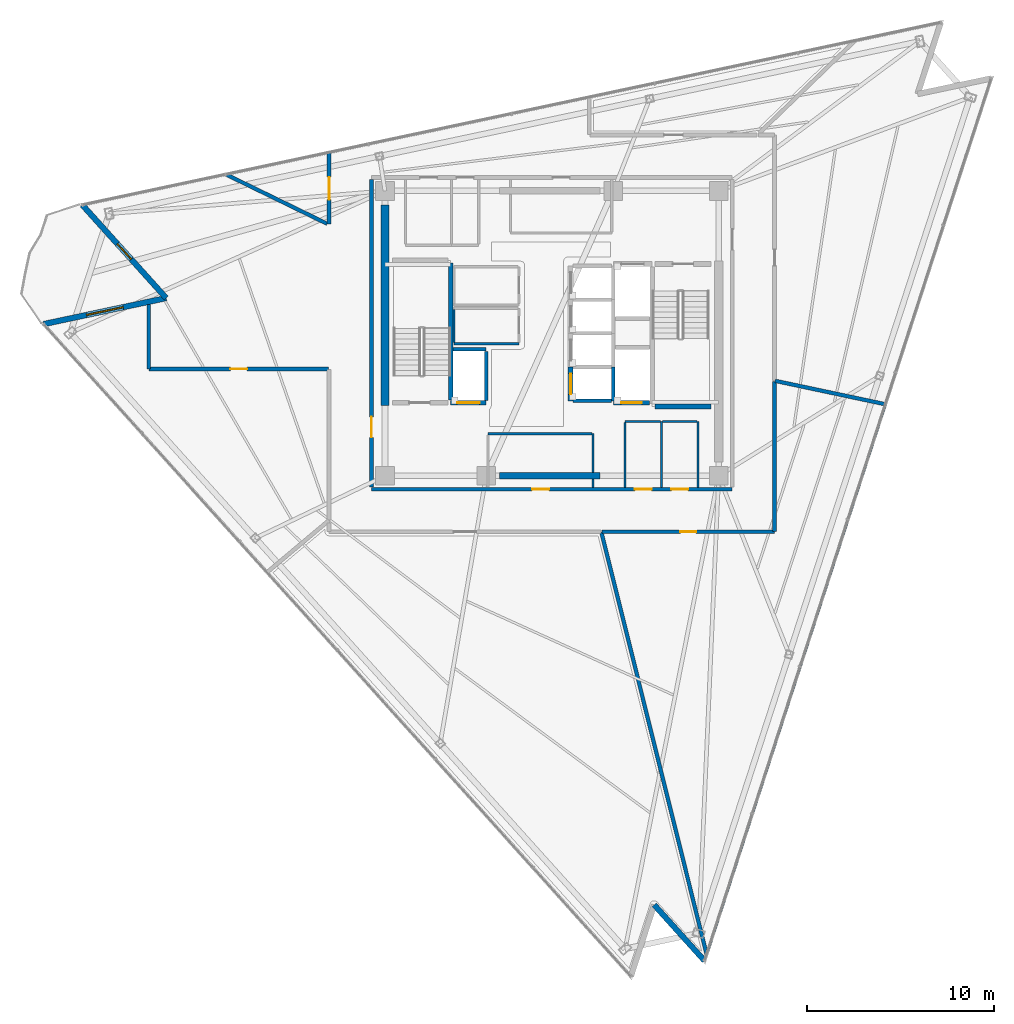
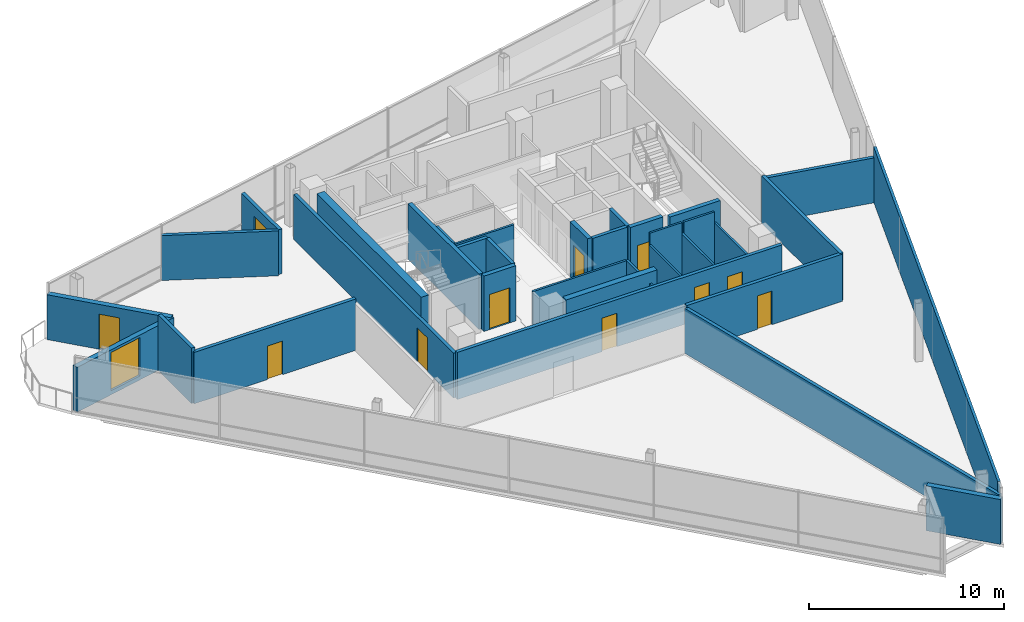
# One storey, part 10 of 15: 35 walls, 11 doors, 1 window, 12 openings.
"""IFC4 building model written with IfcOpenShell, lengths in metres."""

from ifc_helpers import new_model, si_unit, direction, frame, frame_2d, origin, place, context, subcontext, project, spatial, rectangle, extrude, material, layer, layer_set, type_object, element, fill, save


model = new_model("IFC4")

# Units and contexts
model_context = context("Model", 3, precision=1e-05, world=origin(), true_north=direction((0.0, 1.0)))
body_context = subcontext(model_context, "Body", "Model", "MODEL_VIEW")
ifc_project = project(units=[si_unit("LENGTHUNIT", "METRE"), si_unit("AREAUNIT", "SQUARE_METRE"), si_unit("VOLUMEUNIT", "CUBIC_METRE"), si_unit("PLANEANGLEUNIT", "RADIAN"), si_unit("MASSUNIT", "GRAM", prefix="KILO")], contexts=[model_context])

# Site, building, storey
site_placement = place(None, origin())
site = spatial("IfcSite", under=ifc_project, at=site_placement, CompositionType="ELEMENT")
building_placement = place(site_placement, origin())
building = spatial("IfcBuilding", under=site, at=building_placement, Name="Tharavind Bronze Gate", CompositionType="ELEMENT")
storey_placement = place(building_placement, frame((0.0, 0.0, 283.39990234375)))
storey = spatial("IfcBuildingStorey", under=building, at=storey_placement, Name="L73", CompositionType="ELEMENT", Elevation=283.39990234375)

# Wall, opening, door
ifc_material_1 = material(Name="Concrete C40/50", Category="concrete")
ifc_layer_1 = layer(ifc_material_1, 0.300048828125)
ifc_layer_set_1 = layer_set([ifc_layer_1], Name="Concrete C40/50")
wall_type_1 = type_object("IfcWallType", Name="EXTERIOR SPANDREL WALL 300", PredefinedType="STANDARD", material=ifc_layer_set_1)
wall_1_placement = place(storey_placement, frame((-25.041015625, 6.84814453125, 0.0), z_axis=(0.0, 0.0, 1.0), x_axis=(0.669132313306, -0.743143288532, 0.0)))
wall_1 = element("IfcWall", 1, at=wall_1_placement, inside=storey, type_object=wall_type_1, Name="L73 notch cheek wall 1A", PredefinedType="STANDARD", context=body_context, shape_type="SweptSolid", body=[
    extrude(rectangle(XDim=6.679931640625, YDim=0.300048828125, at=frame_2d((3.33984375, 0.0))), origin(), (0.0, 0.0, 1.0), 2.81005859375),
])
opening_1_placement = place(wall_1_placement, frame((2.7900390625, 0.0, 0.0)))
opening_1 = element("IfcOpeningElement", 2, at=opening_1_placement, cuts=wall_1, Name="Opening ED04", PredefinedType="OPENING", context=body_context, shape_type="SweptSolid", body=[
    extrude(rectangle(XDim=1.10009765625, YDim=2.199951171875, at=frame_2d((0.550048828125, 1.10009765625))), frame((0.0, 0.15990234375, 0.0), z_axis=(0.0, -1.0, 0.0), x_axis=(1.0, 0.0, 0.0)), (0.0, 0.0, 1.0), 0.320048828125),
])
ifc_material_2 = material(Name="Bronze Aluminium & Toughened Glass", Category="aluminium")
door_type_1 = type_object("IfcDoorType", Name="TREE BALCONY ACCESS DOOR 1100X2200", OperationType="SINGLE_SWING_LEFT", PredefinedType="DOOR", material=ifc_material_2)
door_1_placement = place(opening_1_placement, frame((1.10009765625, 0.0, 0.0), z_axis=(0.0, 0.0, 1.0), x_axis=(-1.0, 0.0, 0.0)))
door_1 = element("IfcDoor", 3, at=door_1_placement, inside=storey, type_object=door_type_1, Name="L73 tree balcony access door", OperationType="SINGLE_SWING_LEFT", OverallHeight=2.199951171875, OverallWidth=1.10009765625, PredefinedType="DOOR", context=body_context, shape_type="SweptSolid", body=[
    extrude(rectangle(XDim=1.10009765625, YDim=2.199951171875, at=frame_2d((0.550048828125, 1.10009765625))), frame((0.0, 0.02490234375, 0.0), z_axis=(0.0, -1.0, 0.0), x_axis=(1.0, 0.0, 0.0)), (0.0, 0.0, 1.0), 0.050048828125),
])
fill(opening_1, door_1)

# Wall, opening, window
wall_2_placement = place(storey_placement, frame((-20.5712890625, 1.884033203125, 0.0), z_axis=(0.0, 0.0, 1.0), x_axis=(-0.978145008547, -0.207923885724, 0.0)))
wall_2 = element("IfcWall", 4, at=wall_2_placement, inside=storey, type_object=wall_type_1, Name="L73 notch cheek wall 1B", PredefinedType="STANDARD", context=body_context, shape_type="SweptSolid", body=[
    extrude(rectangle(XDim=6.679931640625, YDim=0.300048828125, at=frame_2d((3.33984375, 0.0))), origin(), (0.0, 0.0, 1.0), 2.81005859375),
])
opening_2_placement = place(wall_2_placement, frame((2.340087890625, 0.0, 0.25)))
opening_2 = element("IfcOpeningElement", 5, at=opening_2_placement, cuts=wall_2, Name="Opening W06", PredefinedType="OPENING", context=body_context, shape_type="SweptSolid", body=[
    extrude(rectangle(XDim=2.0, YDim=2.39990234375, at=frame_2d((1.0, 1.199951171875))), frame((0.0, 0.15990234375, 0.0), z_axis=(0.0, -1.0, 0.0), x_axis=(1.0, 0.0, 0.0)), (0.0, 0.0, 1.0), 0.320048828125),
])
ifc_material_3 = material(Name="Bronze Aluminium & Low-E Glass", Category="aluminium")
window_type = type_object("IfcWindowType", Name="CROWN OBSERVATORY WINDOW 2000X2400", PartitioningType="DOUBLE_PANEL_VERTICAL", PredefinedType="WINDOW", material=ifc_material_3)
window_placement = place(opening_2_placement, origin())
window = element("IfcWindow", 6, at=window_placement, inside=storey, type_object=window_type, Name="L73 exterior window WL-L73-NCB1-01", OverallHeight=2.39990234375, OverallWidth=2.0, PartitioningType="SINGLE_PANEL", PredefinedType="WINDOW", context=body_context, shape_type="SweptSolid", body=[
    extrude(rectangle(XDim=2.0, YDim=2.39990234375, at=frame_2d((1.0, 1.199951171875))), frame((0.0, 0.030029296875, 0.0), z_axis=(0.0, -1.0, 0.0), x_axis=(1.0, 0.0, 0.0)), (0.0, 0.0, 1.0), 0.06005859375),
])
fill(opening_2, window)

# Wall
wall_3_placement = place(storey_placement, frame((5.459228515625, -30.484130859375, 0.0), z_axis=(0.0, 0.0, 1.0), x_axis=(0.669132983361, -0.743142685208, 0.0)))
element("IfcWall", 7, at=wall_3_placement, inside=storey, type_object=wall_type_1, Name="L73 notch cheek wall 2B", PredefinedType="STANDARD", context=body_context, shape_type="SweptSolid", body=[
    extrude(rectangle(XDim=4.008056640625, YDim=0.300048828125, at=frame_2d((2.00390625, 0.0))), origin(), (0.0, 0.0, 1.0), 2.81005859375),
])

# Wall, openings, doors
ifc_material_4 = material(Name="Aerated Concrete Block", Category="concrete")
ifc_layer_2 = layer(ifc_material_4, 0.199951171875)
ifc_layer_set_2 = layer_set([ifc_layer_2], Name="Aerated Concrete Block")
wall_type_2 = type_object("IfcWallType", Name="FIRE RATED PARTITION 200", PredefinedType="PARTITIONING", material=ifc_layer_set_2)
wall_4_placement = place(storey_placement, frame((-9.6201171875, -8.320068359375, 0.0), z_axis=(0.0, 0.0, 1.0), x_axis=(1.0, 0.0, 0.0)))
wall_4 = element("IfcWall", 8, at=wall_4_placement, inside=storey, type_object=wall_type_2, Name="L73 south core corridor wall", PredefinedType="PARTITIONING", context=body_context, shape_type="SweptSolid", body=[
    extrude(rectangle(XDim=19.240234375, YDim=0.199951171875, at=frame_2d((9.6201171875, 0.0))), origin(), (0.0, 0.0, 1.0), 2.960205078125),
])
opening_3_placement = place(wall_4_placement, frame((8.570068359375, 0.0, 0.0)))
opening_3 = element("IfcOpeningElement", 9, at=opening_3_placement, cuts=wall_4, Name="Opening ID07", PredefinedType="OPENING", context=body_context, shape_type="SweptSolid", body=[
    extrude(rectangle(XDim=0.89990234375, YDim=2.10009765625, at=frame_2d((0.449951171875, 1.050048828125))), frame((0.0, 0.11009765625, 0.0), z_axis=(0.0, -1.0, 0.0), x_axis=(1.0, 0.0, 0.0)), (0.0, 0.0, 1.0), 0.219951171875),
])
opening_4_placement = place(wall_4_placement, frame((14.044921875, 0.0, 0.0)))
opening_4 = element("IfcOpeningElement", 10, at=opening_4_placement, cuts=wall_4, Name="Opening ID07", PredefinedType="OPENING", context=body_context, shape_type="SweptSolid", body=[
    extrude(rectangle(XDim=0.89990234375, YDim=2.10009765625, at=frame_2d((0.449951171875, 1.050048828125))), frame((0.0, 0.11009765625, 0.0), z_axis=(0.0, -1.0, 0.0), x_axis=(1.0, 0.0, 0.0)), (0.0, 0.0, 1.0), 0.219951171875),
])
opening_5_placement = place(wall_4_placement, frame((15.9951171875, 0.0, 0.0)))
opening_5 = element("IfcOpeningElement", 11, at=opening_5_placement, cuts=wall_4, Name="Opening ID07", PredefinedType="OPENING", context=body_context, shape_type="SweptSolid", body=[
    extrude(rectangle(XDim=0.89990234375, YDim=2.10009765625, at=frame_2d((0.449951171875, 1.050048828125))), frame((0.0, 0.11009765625, 0.0), z_axis=(0.0, -1.0, 0.0), x_axis=(1.0, 0.0, 0.0)), (0.0, 0.0, 1.0), 0.219951171875),
])
ifc_material_5 = material(Name="Galvanised Fire Steel", Category="steel")
door_type_2 = type_object("IfcDoorType", Name="PLANT AND RISER FIRE DOOR 900X2100", OperationType="SINGLE_SWING_LEFT", PredefinedType="DOOR", material=ifc_material_5)
door_2_placement = place(opening_3_placement, origin())
door_2 = element("IfcDoor", 12, at=door_2_placement, inside=storey, type_object=door_type_2, Name="L73 Core BMS Control Room fire door", OperationType="SINGLE_SWING_LEFT", OverallHeight=2.10009765625, OverallWidth=0.89990234375, PredefinedType="DOOR", context=body_context, shape_type="SweptSolid", body=[
    extrude(rectangle(XDim=0.89990234375, YDim=2.10009765625, at=frame_2d((0.449951171875, 1.050048828125))), frame((0.0, 0.02490234375, 0.0), z_axis=(0.0, -1.0, 0.0), x_axis=(1.0, 0.0, 0.0)), (0.0, 0.0, 1.0), 0.050048828125),
])
fill(opening_3, door_2)
door_3_placement = place(opening_4_placement, origin())
door_3 = element("IfcDoor", 13, at=door_3_placement, inside=storey, type_object=door_type_2, Name="L73 Comms Patch Room fire door", OperationType="SINGLE_SWING_LEFT", OverallHeight=2.10009765625, OverallWidth=0.89990234375, PredefinedType="DOOR", context=body_context, shape_type="SweptSolid", body=[
    extrude(rectangle(XDim=0.89990234375, YDim=2.10009765625, at=frame_2d((0.449951171875, 1.050048828125))), frame((0.0, 0.02490234375, 0.0), z_axis=(0.0, -1.0, 0.0), x_axis=(1.0, 0.0, 0.0)), (0.0, 0.0, 1.0), 0.050048828125),
])
fill(opening_4, door_3)
door_4_placement = place(opening_5_placement, origin())
door_4 = element("IfcDoor", 14, at=door_4_placement, inside=storey, type_object=door_type_2, Name="L73 Housekeeping Store fire door", OperationType="SINGLE_SWING_LEFT", OverallHeight=2.10009765625, OverallWidth=0.89990234375, PredefinedType="DOOR", context=body_context, shape_type="SweptSolid", body=[
    extrude(rectangle(XDim=0.89990234375, YDim=2.10009765625, at=frame_2d((0.449951171875, 1.050048828125))), frame((0.0, 0.02490234375, 0.0), z_axis=(0.0, -1.0, 0.0), x_axis=(1.0, 0.0, 0.0)), (0.0, 0.0, 1.0), 0.050048828125),
])
fill(opening_5, door_4)

# Wall, opening, door
wall_5_placement = place(storey_placement, frame((-9.6201171875, 8.199951171875, 0.0), z_axis=(0.0, 0.0, 1.0), x_axis=(0.0, -1.0, 0.0)))
wall_5 = element("IfcWall", 15, at=wall_5_placement, inside=storey, type_object=wall_type_2, Name="L73 west core corridor wall", PredefinedType="PARTITIONING", context=body_context, shape_type="SweptSolid", body=[
    extrude(rectangle(XDim=16.39990234375, YDim=0.199951171875, at=frame_2d((8.199951171875, 0.0))), origin(), (0.0, 0.0, 1.0), 2.81005859375),
])
opening_6_placement = place(wall_5_placement, frame((12.64990234375, 0.0, 0.0)))
opening_6 = element("IfcOpeningElement", 16, at=opening_6_placement, cuts=wall_5, Name="Opening ID01", PredefinedType="OPENING", context=body_context, shape_type="SweptSolid", body=[
    extrude(rectangle(XDim=1.10009765625, YDim=2.14990234375, at=frame_2d((0.550048828125, 1.074951171875))), frame((0.0, 0.11009765625, 0.0), z_axis=(0.0, -1.0, 0.0), x_axis=(1.0, 0.0, 0.0)), (0.0, 0.0, 1.0), 0.219951171875),
])
ifc_material_6 = material(Name="Fire-Rated Steel", Category="steel")
door_type_3 = type_object("IfcDoorType", Name="STAIR CORE FIRE DOOR 1100X2150", OperationType="SINGLE_SWING_LEFT", PredefinedType="DOOR", material=ifc_material_6)
door_5_placement = place(opening_6_placement, frame((1.10009765625, 0.0, 0.0), z_axis=(0.0, 0.0, 1.0), x_axis=(-1.0, 0.0, 0.0)))
door_5 = element("IfcDoor", 17, at=door_5_placement, inside=storey, type_object=door_type_3, Name="L73 south west stair lobby fire door", OperationType="SINGLE_SWING_LEFT", OverallHeight=2.14990234375, OverallWidth=1.10009765625, PredefinedType="DOOR", context=body_context, shape_type="SweptSolid", body=[
    extrude(rectangle(XDim=1.10009765625, YDim=2.14990234375, at=frame_2d((0.550048828125, 1.074951171875))), frame((0.0, 0.02490234375, 0.0), z_axis=(0.0, -1.0, 0.0), x_axis=(1.0, 0.0, 0.0)), (0.0, 0.0, 1.0), 0.050048828125),
])
fill(opening_6, door_5)

# Wall
wall_6_placement = place(storey_placement, frame((8.255615234375, -33.111083984375, 0.0), z_axis=(0.0, 0.0, 1.0), x_axis=(-0.241931126379, 0.970293424738, 0.0)))
element("IfcWall", 18, at=wall_6_placement, inside=storey, type_object=wall_type_2, Name="L73 Public Restrooms Block partition", PredefinedType="PARTITIONING", context=body_context, shape_type="SweptSolid", body=[
    extrude(rectangle(XDim=23.18896484375, YDim=0.199951171875, at=frame_2d((11.594482421875, 0.0))), origin(), (0.0, 0.0, 1.0), 2.81005859375),
])

# Wall, opening, door
wall_7_placement = place(storey_placement, frame((2.669921875, -10.580078125, 0.0), z_axis=(0.0, 0.0, 1.0), x_axis=(1.0, 0.0, 0.0)))
wall_7 = element("IfcWall", 19, at=wall_7_placement, inside=storey, type_object=wall_type_2, Name="L73 Public Restrooms Block partition", PredefinedType="PARTITIONING", context=body_context, shape_type="SweptSolid", body=[
    extrude(rectangle(XDim=9.20947265625, YDim=0.199951171875, at=frame_2d((4.604736328125, 0.0))), origin(), (0.0, 0.0, 1.0), 2.960205078125),
])
opening_7_placement = place(wall_7_placement, frame((4.179931640625, 0.0, 0.0)))
opening_7 = element("IfcOpeningElement", 20, at=opening_7_placement, cuts=wall_7, Name="Opening ID06", PredefinedType="OPENING", context=body_context, shape_type="SweptSolid", body=[
    extrude(rectangle(XDim=0.85009765625, YDim=2.10009765625, at=frame_2d((0.425048828125, 1.050048828125))), frame((0.0, 0.11009765625, 0.0), z_axis=(0.0, -1.0, 0.0), x_axis=(1.0, 0.0, 0.0)), (0.0, 0.0, 1.0), 0.219951171875),
])
ifc_material_7 = material(Name="Moisture-Resistant Timber", Category="wood")
door_type_4 = type_object("IfcDoorType", Name="BATHROOM PRIVACY DOOR 850X2100", OperationType="SINGLE_SWING_RIGHT", PredefinedType="DOOR", material=ifc_material_7)
door_6_placement = place(opening_7_placement, origin())
door_6 = element("IfcDoor", 21, at=door_6_placement, inside=storey, type_object=door_type_4, Name="L73 Public Restrooms Block door", OperationType="SINGLE_SWING_RIGHT", OverallHeight=2.10009765625, OverallWidth=0.85009765625, PredefinedType="DOOR", context=body_context, shape_type="SweptSolid", body=[
    extrude(rectangle(XDim=0.85009765625, YDim=2.10009765625, at=frame_2d((0.425048828125, 1.050048828125))), frame((0.0, 0.02490234375, 0.0), z_axis=(0.0, -1.0, 0.0), x_axis=(1.0, 0.0, 0.0)), (0.0, 0.0, 1.0), 0.050048828125),
])
fill(opening_7, door_6)

# Walls
wall_8_placement = place(storey_placement, frame((11.8798828125, -10.579345703125, 0.0), z_axis=(0.0, 0.0, 1.0), x_axis=(0.0, 1.0, 0.0)))
element("IfcWall", 22, at=wall_8_placement, inside=storey, type_object=wall_type_2, Name="L73 Public Restrooms Block partition", PredefinedType="PARTITIONING", context=body_context, shape_type="SweptSolid", body=[
    extrude(rectangle(XDim=8.0234375, YDim=0.199951171875, at=frame_2d((4.01171875, 0.0))), origin(), (0.0, 0.0, 1.0), 2.960205078125),
])
wall_9_placement = place(storey_placement, frame((11.91015625, -2.531494140625, 0.0), z_axis=(0.0, 0.0, 1.0), x_axis=(0.978144111738, -0.207928104574, 0.0)))
element("IfcWall", 23, at=wall_9_placement, inside=storey, type_object=wall_type_2, Name="L73 Public Restrooms Block partition", PredefinedType="PARTITIONING", context=body_context, shape_type="SweptSolid", body=[
    extrude(rectangle(XDim=5.978759765625, YDim=0.199951171875, at=frame_2d((2.9892578125, 0.0))), origin(), (0.0, 0.0, 1.0), 2.81005859375),
])

# Wall, opening, door
wall_10_placement = place(storey_placement, frame((-11.8798828125, 9.645751953125, 0.0), z_axis=(0.0, 0.0, 1.0), x_axis=(0.0, -1.0, 0.0)))
wall_10 = element("IfcWall", 24, at=wall_10_placement, inside=storey, type_object=wall_type_2, Name="L73 Crown Members Salon partition", PredefinedType="PARTITIONING", context=body_context, shape_type="SweptSolid", body=[
    extrude(rectangle(XDim=3.8115234375, YDim=0.199951171875, at=frame_2d((1.90576171875, 0.0))), origin(), (0.0, 0.0, 1.0), 2.81005859375),
])
opening_8_placement = place(wall_10_placement, frame((1.305908203125, 0.0, 0.0)))
opening_8 = element("IfcOpeningElement", 25, at=opening_8_placement, cuts=wall_10, Name="Opening ID05", PredefinedType="OPENING", context=body_context, shape_type="SweptSolid", body=[
    extrude(rectangle(XDim=1.199951171875, YDim=2.14990234375, at=frame_2d((0.60009765625, 1.074951171875))), frame((0.0, 0.11009765625, 0.0), z_axis=(0.0, -1.0, 0.0), x_axis=(1.0, 0.0, 0.0)), (0.0, 0.0, 1.0), 0.219951171875),
])
ifc_material_8 = material(Name="Acoustic Laminated Glass", Category="glass")
door_type_5 = type_object("IfcDoorType", Name="MEETING ROOM GLAZED DOOR 1200X2150", OperationType="SINGLE_SWING_LEFT", PredefinedType="DOOR", material=ifc_material_8)
door_7_placement = place(opening_8_placement, origin())
door_7 = element("IfcDoor", 26, at=door_7_placement, inside=storey, type_object=door_type_5, Name="L73 Crown Members Salon door", OperationType="SINGLE_SWING_LEFT", OverallHeight=2.14990234375, OverallWidth=1.199951171875, PredefinedType="DOOR", context=body_context, shape_type="SweptSolid", body=[
    extrude(rectangle(XDim=1.199951171875, YDim=2.14990234375, at=frame_2d((0.60009765625, 1.074951171875))), frame((0.0, 0.02490234375, 0.0), z_axis=(0.0, -1.0, 0.0), x_axis=(1.0, 0.0, 0.0)), (0.0, 0.0, 1.0), 0.050048828125),
])
fill(opening_8, door_7)

# Walls
wall_11_placement = place(storey_placement, frame((-11.985107421875, 5.845458984375, 0.0), z_axis=(0.0, 0.0, 1.0), x_axis=(-0.898777045876, 0.438406001107, 0.0)))
element("IfcWall", 27, at=wall_11_placement, inside=storey, type_object=wall_type_2, Name="L73 Crown Members Salon partition", PredefinedType="PARTITIONING", context=body_context, shape_type="SweptSolid", body=[
    extrude(rectangle(XDim=6.002197265625, YDim=0.199951171875, at=frame_2d((3.0009765625, 0.0))), origin(), (0.0, 0.0, 1.0), 2.81005859375),
])
wall_12_placement = place(storey_placement, frame((-21.5, 1.528076171875, 0.0), z_axis=(0.0, 0.0, 1.0), x_axis=(0.0, -1.0, 0.0)))
element("IfcWall", 28, at=wall_12_placement, inside=storey, type_object=wall_type_2, Name="L73 Commercial Tasting Kitchen partition", PredefinedType="PARTITIONING", context=body_context, shape_type="SweptSolid", body=[
    extrude(rectangle(XDim=3.427490234375, YDim=0.199951171875, at=frame_2d((1.7138671875, 0.0))), origin(), (0.0, 0.0, 1.0), 3.465087890625),
])

# Wall, opening, door
wall_13_placement = place(storey_placement, frame((-21.49951171875, -1.89990234375, 0.0), z_axis=(0.0, 0.0, 1.0), x_axis=(1.0, 0.0, 0.0)))
wall_13 = element("IfcWall", 29, at=wall_13_placement, inside=storey, type_object=wall_type_2, Name="L73 Commercial Tasting Kitchen partition", PredefinedType="PARTITIONING", context=body_context, shape_type="SweptSolid", body=[
    extrude(rectangle(XDim=9.594482421875, YDim=0.199951171875, at=frame_2d((4.79736328125, 0.0))), origin(), (0.0, 0.0, 1.0), 3.22021484375),
])
opening_9_placement = place(wall_13_placement, frame((4.346923828125, 0.0, 0.0)))
opening_9 = element("IfcOpeningElement", 30, at=opening_9_placement, cuts=wall_13, Name="Opening ID07", PredefinedType="OPENING", context=body_context, shape_type="SweptSolid", body=[
    extrude(rectangle(XDim=0.89990234375, YDim=2.10009765625, at=frame_2d((0.449951171875, 1.050048828125))), frame((0.0, 0.11009765625, 0.0), z_axis=(0.0, -1.0, 0.0), x_axis=(1.0, 0.0, 0.0)), (0.0, 0.0, 1.0), 0.219951171875),
])
door_8_placement = place(opening_9_placement, origin())
door_8 = element("IfcDoor", 31, at=door_8_placement, inside=storey, type_object=door_type_2, Name="L73 Commercial Tasting Kitchen door", OperationType="SINGLE_SWING_LEFT", OverallHeight=2.10009765625, OverallWidth=0.89990234375, PredefinedType="DOOR", context=body_context, shape_type="SweptSolid", body=[
    extrude(rectangle(XDim=0.89990234375, YDim=2.10009765625, at=frame_2d((0.449951171875, 1.050048828125))), frame((0.0, 0.02490234375, 0.0), z_axis=(0.0, -1.0, 0.0), x_axis=(1.0, 0.0, 0.0)), (0.0, 0.0, 1.0), 0.050048828125),
])
fill(opening_9, door_8)

# Walls
ifc_material_9 = material(Name="Metal Stud Gypsum Partition", Category="gypsum")
ifc_layer_3 = layer(ifc_material_9, 0.1201171875)
ifc_layer_set_3 = layer_set([ifc_layer_3], Name="Metal Stud Gypsum Partition")
wall_type_3 = type_object("IfcWallType", Name="INTERIOR PARTITION WALL 120", PredefinedType="PARTITIONING", material=ifc_layer_set_3)
wall_14_placement = place(storey_placement, frame((-5.219970703125, -0.550048828125, 0.0), z_axis=(0.0, 0.0, 1.0), x_axis=(1.0, 0.0, 0.0)))
element("IfcWall", 32, at=wall_14_placement, inside=storey, type_object=wall_type_3, Name="L73 Electrical Switch Room partition 1", PredefinedType="PARTITIONING", context=body_context, shape_type="SweptSolid", body=[
    extrude(rectangle(XDim=3.469970703125, YDim=0.1201171875, at=frame_2d((1.73486328125, 0.0))), origin(), (0.0, 0.0, 1.0), 3.465087890625),
])
wall_15_placement = place(storey_placement, frame((-5.219970703125, 1.27490234375, 0.0), z_axis=(0.0, 0.0, 1.0), x_axis=(0.0, -1.0, 0.0)))
element("IfcWall", 33, at=wall_15_placement, inside=storey, type_object=wall_type_3, Name="L73 Electrical Switch Room partition 4", PredefinedType="PARTITIONING", context=body_context, shape_type="SweptSolid", body=[
    extrude(rectangle(XDim=1.760009765625, YDim=0.1201171875, at=frame_2d((0.8798828125, 0.0))), origin(), (0.0, 0.0, 1.0), 3.465087890625),
])
wall_16_placement = place(storey_placement, frame((2.199951171875, -8.215087890625, 0.0), z_axis=(0.0, 0.0, 1.0), x_axis=(0.0, 1.0, 0.0)))
element("IfcWall", 34, at=wall_16_placement, inside=storey, type_object=wall_type_3, Name="L73 Core BMS Control Room partition 2", PredefinedType="PARTITIONING", context=body_context, shape_type="SweptSolid", body=[
    extrude(rectangle(XDim=0.43505859375, YDim=0.1201171875, at=frame_2d((0.217529296875, 0.0))), origin(), (0.0, 0.0, 1.0), 2.760009765625),
])
wall_17_placement = place(storey_placement, frame((2.199951171875, -7.419921875, 0.0), z_axis=(0.0, 0.0, 1.0), x_axis=(0.0, 1.0, 0.0)))
element("IfcWall", 35, at=wall_17_placement, inside=storey, type_object=wall_type_3, Name="L73 Core BMS Control Room partition 2", PredefinedType="PARTITIONING", context=body_context, shape_type="SweptSolid", body=[
    extrude(rectangle(XDim=2.06982421875, YDim=0.1201171875, at=frame_2d((1.034912109375, 0.0))), origin(), (0.0, 0.0, 1.0), 2.760009765625),
])
wall_18_placement = place(storey_placement, frame((2.135009765625, -5.35009765625, 0.0), z_axis=(0.0, 0.0, 1.0), x_axis=(-1.0, 0.0, 0.0)))
element("IfcWall", 36, at=wall_18_placement, inside=storey, type_object=wall_type_3, Name="L73 Core BMS Control Room partition 3", PredefinedType="PARTITIONING", context=body_context, shape_type="SweptSolid", body=[
    extrude(rectangle(XDim=5.534912109375, YDim=0.1201171875, at=frame_2d((2.767578125, 0.0))), origin(), (0.0, 0.0, 1.0), 2.760009765625),
])
wall_19_placement = place(storey_placement, frame((5.85009765625, -8.215087890625, 0.0), z_axis=(0.0, 0.0, 1.0), x_axis=(0.0, 1.0, 0.0)))
element("IfcWall", 37, at=wall_19_placement, inside=storey, type_object=wall_type_3, Name="L73 Comms Patch Room partition 2", PredefinedType="PARTITIONING", context=body_context, shape_type="SweptSolid", body=[
    extrude(rectangle(XDim=3.51513671875, YDim=0.1201171875, at=frame_2d((1.757568359375, 0.0))), origin(), (0.0, 0.0, 1.0), 2.760009765625),
])
wall_20_placement = place(storey_placement, frame((5.784912109375, -4.699951171875, 0.0), z_axis=(0.0, 0.0, 1.0), x_axis=(-1.0, 0.0, 0.0)))
element("IfcWall", 38, at=wall_20_placement, inside=storey, type_object=wall_type_3, Name="L73 Comms Patch Room partition 3", PredefinedType="PARTITIONING", context=body_context, shape_type="SweptSolid", body=[
    extrude(rectangle(XDim=1.885009765625, YDim=0.1201171875, at=frame_2d((0.9423828125, 0.0))), origin(), (0.0, 0.0, 1.0), 3.465087890625),
])
wall_21_placement = place(storey_placement, frame((3.89990234375, -4.764892578125, 0.0), z_axis=(0.0, 0.0, 1.0), x_axis=(0.0, -1.0, 0.0)))
element("IfcWall", 39, at=wall_21_placement, inside=storey, type_object=wall_type_3, Name="L73 Comms Patch Room partition 4", PredefinedType="PARTITIONING", context=body_context, shape_type="SweptSolid", body=[
    extrude(rectangle(XDim=3.4501953125, YDim=0.1201171875, at=frame_2d((1.72509765625, 0.0))), origin(), (0.0, 0.0, 1.0), 2.760009765625),
])
wall_22_placement = place(storey_placement, frame((7.800048828125, -8.215087890625, 0.0), z_axis=(0.0, 0.0, 1.0), x_axis=(0.0, 1.0, 0.0)))
element("IfcWall", 40, at=wall_22_placement, inside=storey, type_object=wall_type_3, Name="L73 Housekeeping Store partition 2", PredefinedType="PARTITIONING", context=body_context, shape_type="SweptSolid", body=[
    extrude(rectangle(XDim=3.51513671875, YDim=0.1201171875, at=frame_2d((1.757568359375, 0.0))), origin(), (0.0, 0.0, 1.0), 2.760009765625),
])
wall_23_placement = place(storey_placement, frame((7.735107421875, -4.699951171875, 0.0), z_axis=(0.0, 0.0, 1.0), x_axis=(-1.0, 0.0, 0.0)))
element("IfcWall", 41, at=wall_23_placement, inside=storey, type_object=wall_type_3, Name="L73 Housekeeping Store partition 3", PredefinedType="PARTITIONING", context=body_context, shape_type="SweptSolid", body=[
    extrude(rectangle(XDim=1.820068359375, YDim=0.1201171875, at=frame_2d((0.91015625, 0.0))), origin(), (0.0, 0.0, 1.0), 3.465087890625),
])
ifc_material_10 = material(Name="Twin Stud Acoustic Gypsum", Category="gypsum")
ifc_layer_4 = layer(ifc_material_10, 0.14990234375)
ifc_layer_set_4 = layer_set([ifc_layer_4], Name="Twin Stud Acoustic Gypsum")
wall_type_4 = type_object("IfcWallType", Name="INTERIOR PARTITION WALL 150", PredefinedType="PARTITIONING", material=ifc_layer_set_4)
wall_24_placement = place(storey_placement, frame((17.777099609375, -3.806884765625, 0.0), z_axis=(0.0, 0.0, 1.0), x_axis=(-0.309024581215, -0.951054051148, 0.0)))
element("IfcWall", 42, at=wall_24_placement, inside=storey, type_object=wall_type_4, Name="L73 Public Restrooms Block partition", PredefinedType="PARTITIONING", context=body_context, shape_type="SweptSolid", body=[
    extrude(rectangle(XDim=30.614013671875, YDim=0.14990234375, at=frame_2d((15.30712890625, 0.0))), origin(), (0.0, 0.0, 1.0), 3.465087890625),
])
ifc_material_11 = material(Name="Concrete C50/60", Category="concrete")
ifc_layer_5 = layer(ifc_material_11, 0.25)
ifc_layer_set_5 = layer_set([ifc_layer_5], Name="Concrete C50/60")
wall_type_5 = type_object("IfcWallType", Name="RC CORE SHEAR WALL 250", PredefinedType="SHEAR", material=ifc_layer_set_5)
wall_25_placement = place(storey_placement, frame((-5.39990234375, -3.550048828125, 0.0), z_axis=(0.0, 0.0, 1.0), x_axis=(0.0, 1.0, 0.0)))
element("IfcWall", 43, at=wall_25_placement, inside=storey, type_object=wall_type_5, Name="L73 ST1 shaft east wall", PredefinedType="SHEAR", context=body_context, shape_type="SweptSolid", body=[
    extrude(rectangle(XDim=7.300048828125, YDim=0.25, at=frame_2d((3.64990234375, 0.0))), origin(), (0.0, 0.0, 1.0), 3.465087890625),
])
wall_26_placement = place(storey_placement, frame((5.5, -3.89990234375, 0.0), z_axis=(0.0, 0.0, 1.0), x_axis=(1.0, 0.0, 0.0)))
element("IfcWall", 44, at=wall_26_placement, inside=storey, type_object=wall_type_5, Name="L73 ST2 shaft south wall", PredefinedType="SHEAR", context=body_context, shape_type="SweptSolid", body=[
    extrude(rectangle(XDim=3.0, YDim=0.25, at=frame_2d((1.5, 0.0))), origin(), (0.0, 0.0, 1.0), 3.465087890625),
])

# Wall, opening, door
wall_27_placement = place(storey_placement, frame((1.0, -3.60009765625, 0.0), z_axis=(0.0, 0.0, 1.0), x_axis=(0.0, 1.0, 0.0)))
wall_27 = element("IfcWall", 45, at=wall_27_placement, inside=storey, type_object=wall_type_5, Name="L73 lift PL9 shaft front wall", PredefinedType="SHEAR", context=body_context, shape_type="SweptSolid", body=[
    extrude(rectangle(XDim=1.800048828125, YDim=0.25, at=frame_2d((0.89990234375, 0.0))), origin(), (0.0, 0.0, 1.0), 3.465087890625),
])
opening_10_placement = place(wall_27_placement, frame((0.35009765625, 0.0, 0.0)))
opening_10 = element("IfcOpeningElement", 46, at=opening_10_placement, cuts=wall_27, Name="Opening LD01", PredefinedType="OPENING", context=body_context, shape_type="SweptSolid", body=[
    extrude(rectangle(XDim=1.10009765625, YDim=2.199951171875, at=frame_2d((0.550048828125, 1.10009765625))), frame((0.0, 0.135, 0.0), z_axis=(0.0, -1.0, 0.0), x_axis=(1.0, 0.0, 0.0)), (0.0, 0.0, 1.0), 0.27),
])
ifc_material_12 = material(Name="Brushed Bronze Stainless Steel", Category="steel")
door_type_6 = type_object("IfcDoorType", Name="LIFT LANDING SLIDING DOOR 1100X2200", OperationType="SLIDING_TO_LEFT", PredefinedType="DOOR", material=ifc_material_12)
door_9_placement = place(opening_10_placement, origin())
door_9 = element("IfcDoor", 47, at=door_9_placement, inside=storey, type_object=door_type_6, Name="L73 lift PL9 sliding landing door", OperationType="SLIDING_TO_LEFT", OverallHeight=2.199951171875, OverallWidth=1.10009765625, PredefinedType="DOOR", context=body_context, shape_type="SweptSolid", body=[
    extrude(rectangle(XDim=1.10009765625, YDim=2.199951171875, at=frame_2d((0.550048828125, 1.10009765625))), frame((0.0, 0.02490234375, 0.0), z_axis=(0.0, -1.0, 0.0), x_axis=(1.0, 0.0, 0.0)), (0.0, 0.0, 1.0), 0.050048828125),
])
fill(opening_10, door_9)

wall_28_placement = place(storey_placement, frame((-5.39990234375, -3.699951171875, 0.0), z_axis=(0.0, 0.0, 1.0), x_axis=(1.0, 0.0, 0.0)))
wall_28 = element("IfcWall", 48, at=wall_28_placement, inside=storey, type_object=wall_type_5, Name="L73 lift FFL1 shaft front wall", PredefinedType="SHEAR", context=body_context, shape_type="SweptSolid", body=[
    extrude(rectangle(XDim=1.89990234375, YDim=0.25, at=frame_2d((0.949951171875, 0.0))), origin(), (0.0, 0.0, 1.0), 3.465087890625),
])
opening_11_placement = place(wall_28_placement, frame((0.35009765625, 0.0, 0.0)))
opening_11 = element("IfcOpeningElement", 49, at=opening_11_placement, cuts=wall_28, Name="Opening LD02", PredefinedType="OPENING", context=body_context, shape_type="SweptSolid", body=[
    extrude(rectangle(XDim=1.199951171875, YDim=2.199951171875, at=frame_2d((0.60009765625, 1.10009765625))), frame((0.0, 0.135, 0.0), z_axis=(0.0, -1.0, 0.0), x_axis=(1.0, 0.0, 0.0)), (0.0, 0.0, 1.0), 0.27),
])
ifc_material_13 = material(Name="Brushed Stainless Steel", Category="steel")
door_type_7 = type_object("IfcDoorType", Name="FIREFIGHTING LIFT LANDING DOOR 1200X2200", OperationType="SLIDING_TO_RIGHT", PredefinedType="DOOR", material=ifc_material_13)
door_10_placement = place(opening_11_placement, origin())
door_10 = element("IfcDoor", 50, at=door_10_placement, inside=storey, type_object=door_type_7, Name="L73 lift FFL1 sliding landing door", OperationType="SLIDING_TO_RIGHT", OverallHeight=2.199951171875, OverallWidth=1.199951171875, PredefinedType="DOOR", context=body_context, shape_type="SweptSolid", body=[
    extrude(rectangle(XDim=1.199951171875, YDim=2.199951171875, at=frame_2d((0.60009765625, 1.10009765625))), frame((0.0, 0.02490234375, 0.0), z_axis=(0.0, -1.0, 0.0), x_axis=(1.0, 0.0, 0.0)), (0.0, 0.0, 1.0), 0.050048828125),
])
fill(opening_11, door_10)

wall_29_placement = place(storey_placement, frame((3.280029296875, -3.699951171875, 0.0), z_axis=(0.0, 0.0, 1.0), x_axis=(1.0, 0.0, 0.0)))
wall_29 = element("IfcWall", 51, at=wall_29_placement, inside=storey, type_object=wall_type_5, Name="L73 lift SVL1 shaft front wall", PredefinedType="SHEAR", context=body_context, shape_type="SweptSolid", body=[
    extrude(rectangle(XDim=1.93994140625, YDim=0.25, at=frame_2d((0.969970703125, 0.0))), origin(), (0.0, 0.0, 1.0), 3.465087890625),
])
opening_12_placement = place(wall_29_placement, frame((0.419921875, 0.0, 0.0)))
opening_12 = element("IfcOpeningElement", 52, at=opening_12_placement, cuts=wall_29, Name="Opening LD01", PredefinedType="OPENING", context=body_context, shape_type="SweptSolid", body=[
    extrude(rectangle(XDim=1.10009765625, YDim=2.199951171875, at=frame_2d((0.550048828125, 1.10009765625))), frame((0.0, 0.135, 0.0), z_axis=(0.0, -1.0, 0.0), x_axis=(1.0, 0.0, 0.0)), (0.0, 0.0, 1.0), 0.27),
])
door_11_placement = place(opening_12_placement, origin())
door_11 = element("IfcDoor", 53, at=door_11_placement, inside=storey, type_object=door_type_6, Name="L73 lift SVL1 sliding landing door", OperationType="SLIDING_TO_LEFT", OverallHeight=2.199951171875, OverallWidth=1.10009765625, PredefinedType="DOOR", context=body_context, shape_type="SweptSolid", body=[
    extrude(rectangle(XDim=1.10009765625, YDim=2.199951171875, at=frame_2d((0.550048828125, 1.10009765625))), frame((0.0, 0.02490234375, 0.0), z_axis=(0.0, -1.0, 0.0), x_axis=(1.0, 0.0, 0.0)), (0.0, 0.0, 1.0), 0.050048828125),
])
fill(opening_12, door_11)

# Walls
ifc_layer_6 = layer(ifc_material_11, 0.35009765625)
ifc_layer_set_6 = layer_set([ifc_layer_6], Name="Concrete C50/60")
wall_type_6 = type_object("IfcWallType", Name="RC CORE SHEAR WALL 350", PredefinedType="SHEAR", material=ifc_layer_set_6)
wall_30_placement = place(storey_placement, frame((-2.800048828125, -7.60009765625, 0.0), z_axis=(0.0, 0.0, 1.0), x_axis=(1.0, 0.0, 0.0)))
element("IfcWall", 54, at=wall_30_placement, inside=storey, type_object=wall_type_6, Name="L73 south core shear wall", PredefinedType="SHEAR", context=body_context, shape_type="SweptSolid", body=[
    extrude(rectangle(XDim=5.380126953125, YDim=0.35009765625, at=frame_2d((2.68994140625, 0.0))), origin(), (0.0, 0.0, 1.0), 3.465087890625),
])
ifc_material_14 = material(Name="Concrete C60/75", Category="concrete")
ifc_layer_7 = layer(ifc_material_14, 0.449951171875)
ifc_layer_set_7 = layer_set([ifc_layer_7], Name="Concrete C60/75")
wall_type_7 = type_object("IfcWallType", Name="RC CORE SHEAR WALL 450", PredefinedType="SHEAR", material=ifc_layer_set_7)
wall_31_placement = place(storey_placement, frame((-8.89990234375, -3.85009765625, 0.0), z_axis=(0.0, 0.0, 1.0), x_axis=(0.0, 1.0, 0.0)))
element("IfcWall", 55, at=wall_31_placement, inside=storey, type_object=wall_type_7, Name="L73 west core shear wall", PredefinedType="SHEAR", context=body_context, shape_type="SweptSolid", body=[
    extrude(rectangle(XDim=10.7001953125, YDim=0.449951171875, at=frame_2d((5.35009765625, 0.0))), origin(), (0.0, 0.0, 1.0), 3.465087890625),
])
ifc_layer_8 = layer(ifc_material_1, 0.199951171875)
ifc_layer_set_8 = layer_set([ifc_layer_8], Name="Concrete C40/50")
wall_type_8 = type_object("IfcWallType", Name="SHAFT ENCLOSURE WALL 200", PredefinedType="PARTITIONING", material=ifc_layer_set_8)
wall_32_placement = place(storey_placement, frame((3.280029296875, -3.60009765625, 0.0), z_axis=(0.0, 0.0, 1.0), x_axis=(0.0, 1.0, 0.0)))
element("IfcWall", 56, at=wall_32_placement, inside=storey, type_object=wall_type_8, Name="L73 lift PL9 shaft E enclosure wall", PredefinedType="PARTITIONING", context=body_context, shape_type="SweptSolid", body=[
    extrude(rectangle(XDim=1.800048828125, YDim=0.199951171875, at=frame_2d((0.89990234375, 0.0))), origin(), (0.0, 0.0, 1.0), 3.465087890625),
])
wall_33_placement = place(storey_placement, frame((1.1298828125, -3.60009765625, 0.0), z_axis=(0.0, 0.0, 1.0), x_axis=(1.0, 0.0, 0.0)))
element("IfcWall", 57, at=wall_33_placement, inside=storey, type_object=wall_type_8, Name="L73 lift PL9 shaft S enclosure wall", PredefinedType="PARTITIONING", context=body_context, shape_type="SweptSolid", body=[
    extrude(rectangle(XDim=2.045166015625, YDim=0.199951171875, at=frame_2d((1.0224609375, 0.0))), origin(), (0.0, 0.0, 1.0), 3.465087890625),
])
wall_34_placement = place(storey_placement, frame((-5.27001953125, -0.85009765625, 0.0), z_axis=(0.0, 0.0, 1.0), x_axis=(1.0, 0.0, 0.0)))
element("IfcWall", 58, at=wall_34_placement, inside=storey, type_object=wall_type_8, Name="L73 lift FFL1 shaft N enclosure wall", PredefinedType="PARTITIONING", context=body_context, shape_type="SweptSolid", body=[
    extrude(rectangle(XDim=1.77001953125, YDim=0.199951171875, at=frame_2d((0.885009765625, 0.0))), origin(), (0.0, 0.0, 1.0), 3.465087890625),
])
wall_35_placement = place(storey_placement, frame((-3.5, -3.570068359375, 0.0), z_axis=(0.0, 0.0, 1.0), x_axis=(0.0, 1.0, 0.0)))
element("IfcWall", 59, at=wall_35_placement, inside=storey, type_object=wall_type_8, Name="L73 lift FFL1 shaft E enclosure wall", PredefinedType="PARTITIONING", context=body_context, shape_type="SweptSolid", body=[
    extrude(rectangle(XDim=2.614990234375, YDim=0.199951171875, at=frame_2d((1.3076171875, 0.0))), origin(), (0.0, 0.0, 1.0), 3.465087890625),
])

save(model, "model.ifc")
